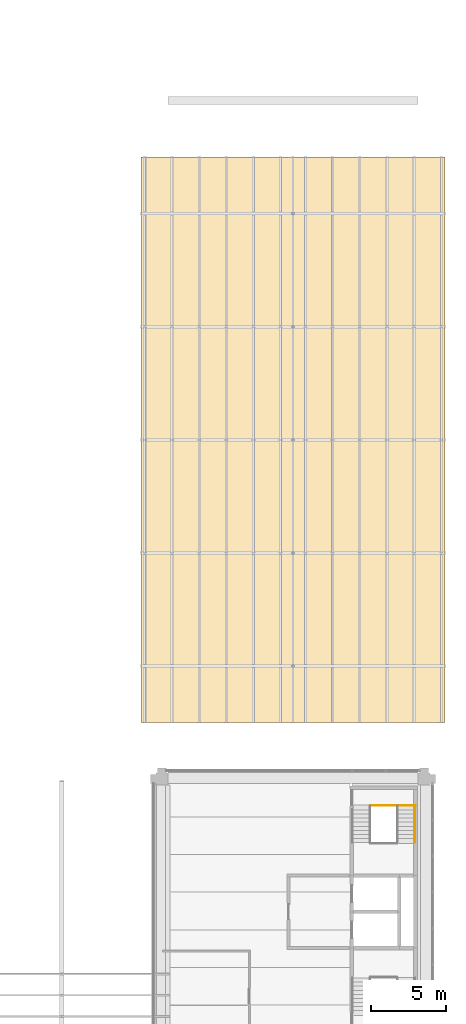
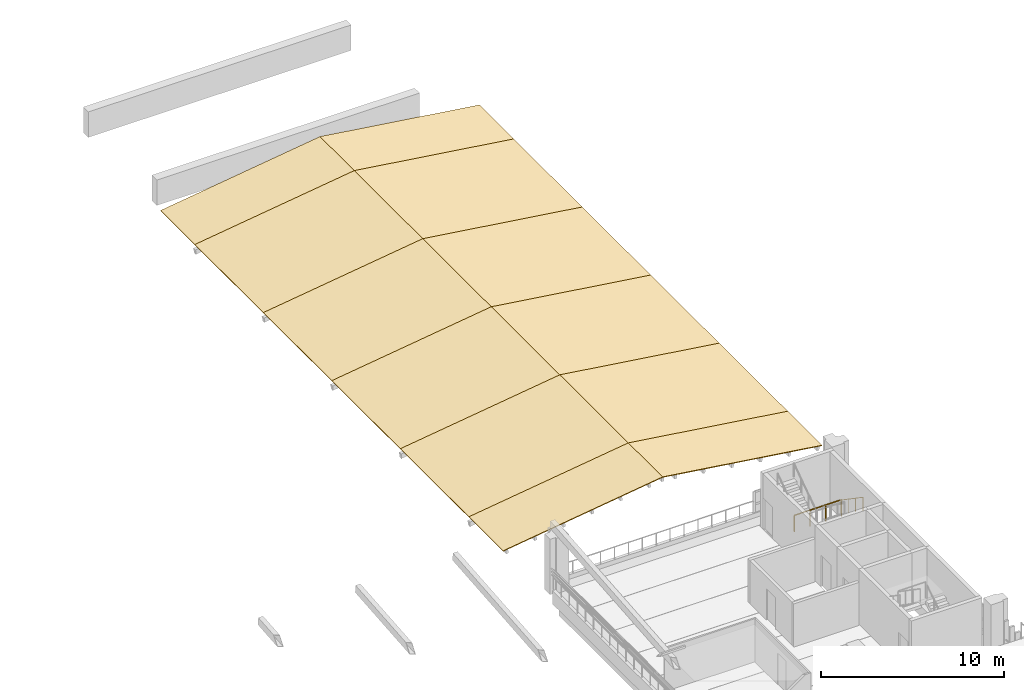
# One storey, part 50 of 52: 12 coverings, 2 railings, 1 element without a shape of its own.
"""IFC4 building model written with IfcOpenShell, lengths in metres."""

from ifc_helpers import new_model, si_unit, direction, frame, origin, origin_2d, place, context, subcontext, project, spatial, polyline, circle, outline, extrude, material, layer, layer_set, type_object, element, aggregate, save


model = new_model("IFC4")

# Units and contexts
model_context = context("Model", 3, precision=1e-05, world=origin(), true_north=direction((0.0, 1.0)))
body_context = subcontext(model_context, "Body", "Model", "MODEL_VIEW")
ifc_project = project(units=[si_unit("LENGTHUNIT", "METRE"), si_unit("AREAUNIT", "SQUARE_METRE"), si_unit("VOLUMEUNIT", "CUBIC_METRE"), si_unit("PLANEANGLEUNIT", "RADIAN"), si_unit("MASSUNIT", "GRAM", prefix="KILO")], contexts=[model_context])

# Site, building, storey
site_placement = place(None, origin())
site = spatial("IfcSite", under=ifc_project, at=site_placement, CompositionType="ELEMENT")
building_placement = place(site_placement, origin())
building = spatial("IfcBuilding", under=site, at=building_placement, Name="Cour d'Honneur Mobility Palace", CompositionType="ELEMENT")
storey_placement = place(building_placement, frame((0.0, 0.0, 23.0)))
storey = spatial("IfcBuildingStorey", under=building, at=storey_placement, Name="L06", CompositionType="ELEMENT", Elevation=23.0)

# Railings
ifc_material_1 = material(Name="Painted steel", Category="steel")
railing_type_1 = type_object("IfcRailingType", Name="Guardrail 1100", PredefinedType="GUARDRAIL", material=ifc_material_1)
railing_1_placement = place(storey_placement, frame((158.75, 60.64501953125, 0.0)))
element("IfcRailing", 1, at=railing_1_placement, inside=storey, type_object=railing_type_1, Name="Guard ST-CE2", PredefinedType="GUARDRAIL", context=body_context, shape_type="SweptSolid", body=[
    extrude(circle(Radius=0.02490234375, at=origin_2d()), frame((0.0, 0.0, 1.0751953125), z_axis=(1.0, 0.0, 0.0), x_axis=(0.0, 1.0, 0.0)), (0.0, 0.0, 1.0), 2.97509765625),
    extrude(circle(Radius=0.02099609375, at=origin_2d()), origin(), (0.0, 0.0, 1.0), 1.050048828125),
    extrude(circle(Radius=0.02099609375, at=origin_2d()), frame((0.99169921875, 0.0, 0.0)), (0.0, 0.0, 1.0), 1.050048828125),
    extrude(circle(Radius=0.02099609375, at=origin_2d()), frame((1.9833984375, 0.0, 0.0)), (0.0, 0.0, 1.0), 1.050048828125),
    extrude(circle(Radius=0.02099609375, at=origin_2d()), frame((2.97509765625, 0.0, 0.0)), (0.0, 0.0, 1.0), 1.050048828125),
])
ifc_material_2 = material(Name="Stainless steel", Category="steel")
railing_type_2 = type_object("IfcRailingType", Name="Handrail round 50", PredefinedType="HANDRAIL", material=ifc_material_2)
railing_2_placement = place(storey_placement, frame((161.675048828125, 60.625, 0.18505859375)))
element("IfcRailing", 2, at=railing_2_placement, inside=storey, type_object=railing_type_2, Name="Handrail ST-CE2", PredefinedType="HANDRAIL", context=body_context, shape_type="SweptSolid", body=[
    extrude(circle(Radius=0.02490234375, at=origin_2d()), frame((0.0, 0.0, 0.89501953125), z_axis=(0.0, -0.8249187745, 0.56525128525), x_axis=(1.0, 0.0, 0.0)), (0.0, 0.0, 1.0), 2.945556640625),
    extrude(circle(Radius=0.02099609375, at=origin_2d()), origin(), (0.0, 0.0, 1.0), 0.869873046875),
    extrude(circle(Radius=0.02099609375, at=origin_2d()), frame((0.0, -0.81005859375, 0.554931640625)), (0.0, 0.0, 1.0), 0.869873046875),
    extrude(circle(Radius=0.02099609375, at=origin_2d()), frame((0.0, -1.619873046875, 1.110107421875)), (0.0, 0.0, 1.0), 0.869873046875),
    extrude(circle(Radius=0.02099609375, at=origin_2d()), frame((0.0, -2.429931640625, 1.6650390625)), (0.0, 0.0, 1.0), 0.869873046875),
])

# Roof, coverings
ifc_material_3 = material(Name="Zinc standing seam")
ifc_layer_1 = layer(ifc_material_3, 0.050048828125)
ifc_layer_set_1 = layer_set([ifc_layer_1], Name="Zinc standing seam")
roof_type = type_object("IfcRoofType", Name="Terrace roof gable", PredefinedType="GABLE_ROOF", material=ifc_layer_set_1)
roof_placement = place(storey_placement, origin())
roof = element("IfcRoof", 3, at=roof_placement, inside=storey, type_object=roof_type, Name="Workshop Roof Terrace roof", PredefinedType="GABLE_ROOF")
ifc_material_4 = material(Name="Zinc standing seam")
ifc_layer_2 = layer(ifc_material_4, 0.050048828125)
ifc_layer_set_2 = layer_set([ifc_layer_2], Name="Zinc standing seam")
covering_type = type_object("IfcCoveringType", Name="Terrace roof panel", PredefinedType="ROOFING", material=ifc_layer_set_2)
covering_1_placement = place(storey_placement, frame((143.52490234375, 66.14990234375, 0.696044921875), z_axis=(-0.138588531814, 0.0, 0.990350048644), x_axis=(0.990350048644, 0.0, 0.138588531814)))
covering_1 = element("IfcCovering", 4, at=covering_1_placement, type_object=covering_type, Name="Terrace roof panel TS-S1", PredefinedType="ROOFING", context=body_context, shape_type="SweptSolid", body=[
    extrude(outline(polyline([(0.0, 0.0), (10.17336781705961, 0.0), (10.17336781705961, 3.75), (0.0, 3.75), (0.0, 0.0)])), origin(), (0.0, 0.0, -1.0), 0.050048828125),
])
covering_2_placement = place(storey_placement, frame((143.52490234375, 69.89990234375, 0.696044921875), z_axis=(-0.138588531814, 0.0, 0.990350048644), x_axis=(0.990350048644, 0.0, 0.138588531814)))
covering_2 = element("IfcCovering", 5, at=covering_2_placement, type_object=covering_type, Name="Terrace roof panel TS-S2", PredefinedType="ROOFING", context=body_context, shape_type="SweptSolid", body=[
    extrude(outline(polyline([(0.0, 0.0), (10.17336781705961, 0.0), (10.17336781705961, 7.5), (0.0, 7.5), (0.0, 0.0)])), origin(), (0.0, 0.0, -1.0), 0.050048828125),
])
covering_3_placement = place(storey_placement, frame((143.52490234375, 77.39990234375, 0.696044921875), z_axis=(-0.138588531814, 0.0, 0.990350048644), x_axis=(0.990350048644, 0.0, 0.138588531814)))
covering_3 = element("IfcCovering", 6, at=covering_3_placement, type_object=covering_type, Name="Terrace roof panel TS-S3", PredefinedType="ROOFING", context=body_context, shape_type="SweptSolid", body=[
    extrude(outline(polyline([(0.0, 0.0), (10.17336781705961, 0.0), (10.17336781705961, 7.5), (0.0, 7.5), (0.0, 0.0)])), origin(), (0.0, 0.0, -1.0), 0.050048828125),
])
covering_4_placement = place(storey_placement, frame((143.52490234375, 84.89990234375, 0.696044921875), z_axis=(-0.138588531814, 0.0, 0.990350048644), x_axis=(0.990350048644, 0.0, 0.138588531814)))
covering_4 = element("IfcCovering", 7, at=covering_4_placement, type_object=covering_type, Name="Terrace roof panel TS-S4", PredefinedType="ROOFING", context=body_context, shape_type="SweptSolid", body=[
    extrude(outline(polyline([(0.0, 0.0), (10.17336781705961, 0.0), (10.17336781705961, 7.5), (0.0, 7.5), (0.0, 0.0)])), origin(), (0.0, 0.0, -1.0), 0.050048828125),
])
covering_5_placement = place(storey_placement, frame((143.52490234375, 92.39990234375, 0.696044921875), z_axis=(-0.138588531814, 0.0, 0.990350048644), x_axis=(0.990350048644, 0.0, 0.138588531814)))
covering_5 = element("IfcCovering", 8, at=covering_5_placement, type_object=covering_type, Name="Terrace roof panel TS-S5", PredefinedType="ROOFING", context=body_context, shape_type="SweptSolid", body=[
    extrude(outline(polyline([(0.0, 0.0), (10.17336781705961, 0.0), (10.17336781705961, 7.5), (0.0, 7.5), (0.0, 0.0)])), origin(), (0.0, 0.0, -1.0), 0.050048828125),
])
covering_6_placement = place(storey_placement, frame((143.52490234375, 99.89990234375, 0.696044921875), z_axis=(-0.138588531814, 0.0, 0.990350048644), x_axis=(0.990350048644, 0.0, 0.138588531814)))
covering_6 = element("IfcCovering", 9, at=covering_6_placement, type_object=covering_type, Name="Terrace roof panel TS-S6", PredefinedType="ROOFING", context=body_context, shape_type="SweptSolid", body=[
    extrude(outline(polyline([(0.0, 0.0), (10.17336781705961, 0.0), (10.17336781705961, 3.75), (0.0, 3.75), (0.0, 0.0)])), origin(), (0.0, 0.0, -1.0), 0.050048828125),
])
covering_7_placement = place(storey_placement, frame((153.60009765625, 66.14990234375, 2.10595703125), z_axis=(0.138591825647, 0.0, 0.990349587703), x_axis=(0.990349587703, 0.0, -0.138591825647)))
covering_7 = element("IfcCovering", 10, at=covering_7_placement, type_object=covering_type, Name="Terrace roof panel TS-S7", PredefinedType="ROOFING", context=body_context, shape_type="SweptSolid", body=[
    extrude(outline(polyline([(0.0, 0.0), (10.173126032436034, 0.0), (10.173126032436034, 3.7499999999999996), (0.0, 3.7499999999999996), (0.0, 0.0)])), origin(), (0.0, 0.0, -1.0), 0.050048828125),
])
covering_8_placement = place(storey_placement, frame((153.60009765625, 69.89990234375, 2.10595703125), z_axis=(0.138591825647, 0.0, 0.990349587703), x_axis=(0.990349587703, 0.0, -0.138591825647)))
covering_8 = element("IfcCovering", 11, at=covering_8_placement, type_object=covering_type, Name="Terrace roof panel TS-S8", PredefinedType="ROOFING", context=body_context, shape_type="SweptSolid", body=[
    extrude(outline(polyline([(0.0, 0.0), (10.173126032436034, 0.0), (10.173126032436034, 7.499999999999999), (0.0, 7.499999999999999), (0.0, 0.0)])), origin(), (0.0, 0.0, -1.0), 0.050048828125),
])
covering_9_placement = place(storey_placement, frame((153.60009765625, 77.39990234375, 2.10595703125), z_axis=(0.138591825647, 0.0, 0.990349587703), x_axis=(0.990349587703, 0.0, -0.138591825647)))
covering_9 = element("IfcCovering", 12, at=covering_9_placement, type_object=covering_type, Name="Terrace roof panel TS-S9", PredefinedType="ROOFING", context=body_context, shape_type="SweptSolid", body=[
    extrude(outline(polyline([(0.0, 0.0), (10.173126032436034, 0.0), (10.173126032436034, 7.499999999999999), (0.0, 7.499999999999999), (0.0, 0.0)])), origin(), (0.0, 0.0, -1.0), 0.050048828125),
])
covering_10_placement = place(storey_placement, frame((153.60009765625, 84.89990234375, 2.10595703125), z_axis=(0.138591825647, 0.0, 0.990349587703), x_axis=(0.990349587703, 0.0, -0.138591825647)))
covering_10 = element("IfcCovering", 13, at=covering_10_placement, type_object=covering_type, Name="Terrace roof panel TS-S10", PredefinedType="ROOFING", context=body_context, shape_type="SweptSolid", body=[
    extrude(outline(polyline([(0.0, 0.0), (10.173126032436034, 0.0), (10.173126032436034, 7.499999999999999), (0.0, 7.499999999999999), (0.0, 0.0)])), origin(), (0.0, 0.0, -1.0), 0.050048828125),
])
covering_11_placement = place(storey_placement, frame((153.60009765625, 92.39990234375, 2.10595703125), z_axis=(0.138591825647, 0.0, 0.990349587703), x_axis=(0.990349587703, 0.0, -0.138591825647)))
covering_11 = element("IfcCovering", 14, at=covering_11_placement, type_object=covering_type, Name="Terrace roof panel TS-S11", PredefinedType="ROOFING", context=body_context, shape_type="SweptSolid", body=[
    extrude(outline(polyline([(0.0, 0.0), (10.173126032436034, 0.0), (10.173126032436034, 7.499999999999999), (0.0, 7.499999999999999), (0.0, 0.0)])), origin(), (0.0, 0.0, -1.0), 0.050048828125),
])
covering_12_placement = place(storey_placement, frame((153.60009765625, 99.89990234375, 2.10595703125), z_axis=(0.138591825647, 0.0, 0.990349587703), x_axis=(0.990349587703, 0.0, -0.138591825647)))
covering_12 = element("IfcCovering", 15, at=covering_12_placement, type_object=covering_type, Name="Terrace roof panel TS-S12", PredefinedType="ROOFING", context=body_context, shape_type="SweptSolid", body=[
    extrude(outline(polyline([(0.0, 0.0), (10.173126032436034, 0.0), (10.173126032436034, 3.7499999999999996), (0.0, 3.7499999999999996), (0.0, 0.0)])), origin(), (0.0, 0.0, -1.0), 0.050048828125),
])
aggregate(roof, [covering_1, covering_2, covering_3, covering_4, covering_5, covering_6, covering_7, covering_8, covering_9, covering_10, covering_11, covering_12])

save(model, "model.ifc")
